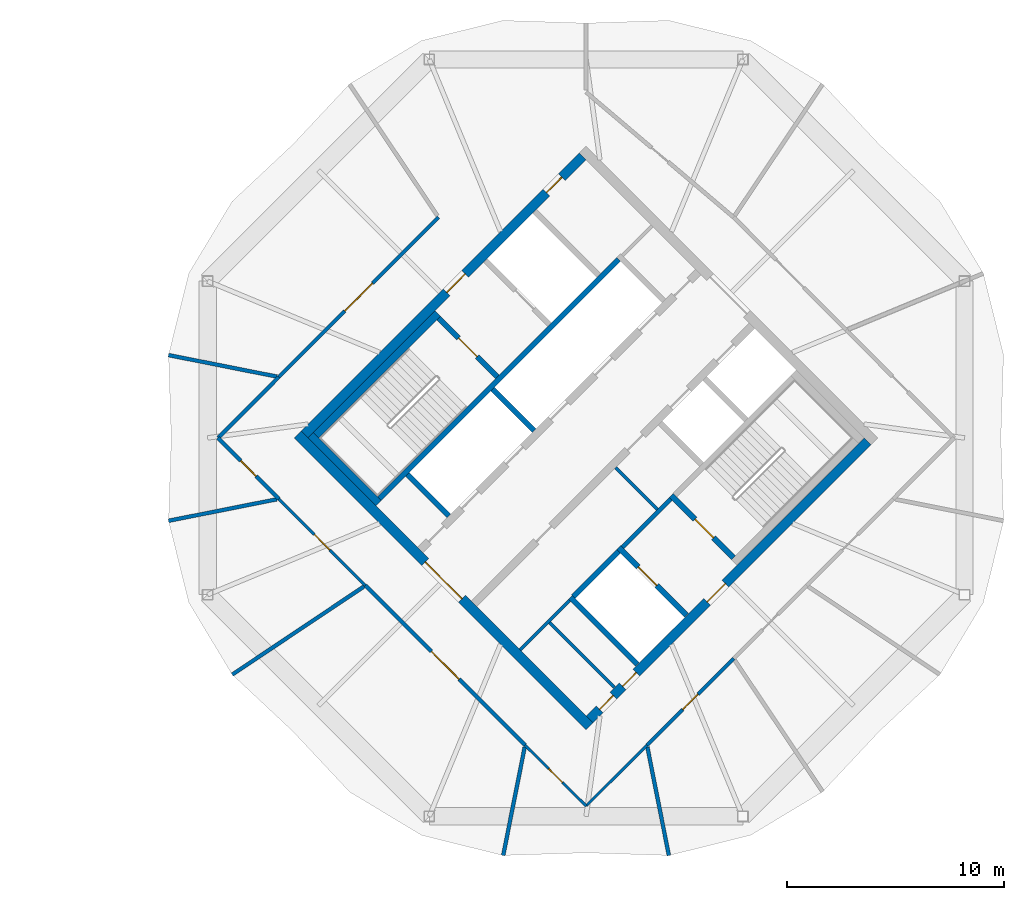
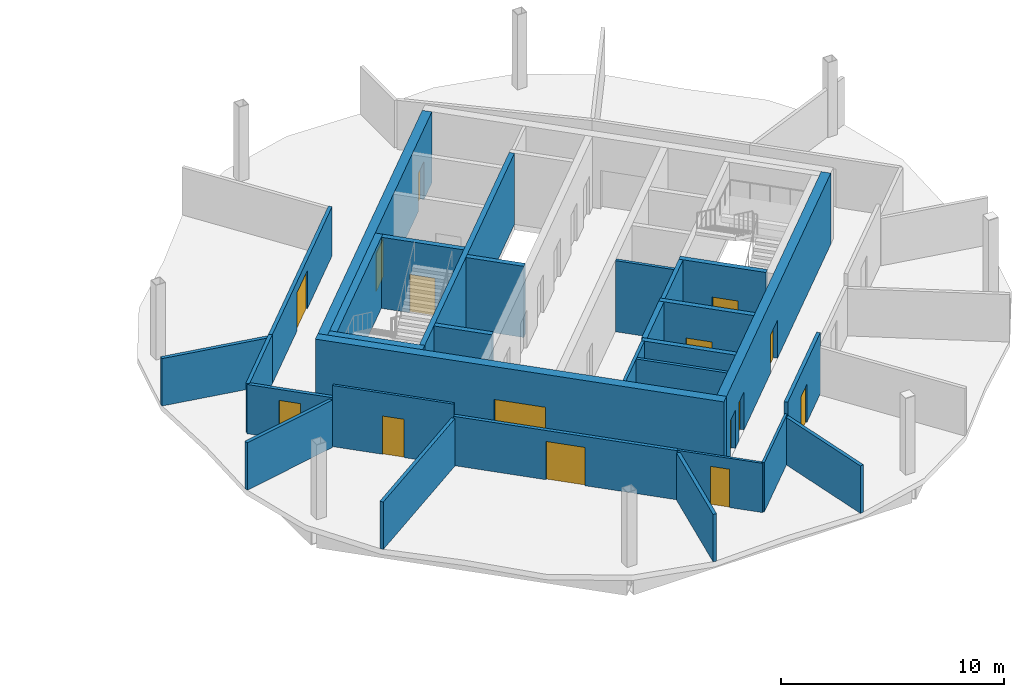
# One storey, part 7 of 10: 30 walls, 15 doors, 15 openings.
"""IFC4 building model written with IfcOpenShell, lengths in metres."""

from ifc_helpers import new_model, si_unit, direction, frame, frame_2d, origin, place, context, subcontext, project, spatial, rectangle, extrude, material, layer, layer_set, type_object, element, fill, save


model = new_model("IFC4")

# Units and contexts
model_context = context("Model", 3, precision=1e-05, world=origin(), true_north=direction((0.0, 1.0)))
body_context = subcontext(model_context, "Body", "Model", "MODEL_VIEW")
ifc_project = project(units=[si_unit("LENGTHUNIT", "METRE"), si_unit("AREAUNIT", "SQUARE_METRE"), si_unit("VOLUMEUNIT", "CUBIC_METRE"), si_unit("PLANEANGLEUNIT", "RADIAN"), si_unit("MASSUNIT", "GRAM", prefix="KILO")], contexts=[model_context])

# Site, building, storey
site_placement = place(None, origin())
site = spatial("IfcSite", under=ifc_project, at=site_placement, CompositionType="ELEMENT")
building_placement = place(site_placement, origin())
building = spatial("IfcBuilding", under=site, at=building_placement, Name="Ogive Gate Towers", CompositionType="ELEMENT")
storey_placement = place(building_placement, frame((0.0, 0.0, 264.60009765625)))
storey = spatial("IfcBuildingStorey", under=building, at=storey_placement, Name="L62", CompositionType="ELEMENT", Elevation=264.60009765625)

# Walls
ifc_material_1 = material(Name="Gypsum board acoustic partition")
ifc_layer_1 = layer(ifc_material_1, 0.175048828125)
ifc_layer_set_1 = layer_set([ifc_layer_1], Name="Acoustic partition 175")
wall_type_1 = type_object("IfcWallType", Name="Acoustic partition 175", PredefinedType="PARTITIONING", material=ifc_layer_set_1)
for number, where, z_axis, x_axis, name in (
    (1, (16.775390625, 3.814697265625, 0.0), (0.0, 0.0, 1.0), (0.980874659821, -0.194640442152, 0.0), "Partition T2-L62-005"),
    (2, (16.775390625, -3.814697265625, 0.0), (0.0, 0.0, 1.0), (0.980874659821, 0.194640442152, 0.0), "Partition T2-L62-006"),
):
    element("IfcWall", number, at=place(storey_placement, frame(where, z_axis=z_axis, x_axis=x_axis)), inside=storey, type_object=wall_type_1, Name=name, PredefinedType="PARTITIONING", context=body_context, shape_type="SweptSolid", body=[
        extrude(rectangle(XDim=5.09130859375, YDim=0.175048828125, at=frame_2d((2.545654296875, 0.0))), origin(), (0.0, 0.0, 1.0), 2.599853515625),
    ])
wall_1_placement = place(storey_placement, frame((19.708740234375, -10.896484375, 0.0), z_axis=(0.0, 0.0, 1.0), x_axis=(0.83120450459, 0.55596678997, 0.0)))
element("IfcWall", 3, at=wall_1_placement, inside=storey, type_object=wall_type_1, Name="Partition T2-L62-007", PredefinedType="PARTITIONING", context=body_context, shape_type="SweptSolid", body=[
    extrude(rectangle(XDim=7.291259765625, YDim=0.175048828125, at=frame_2d((3.6455078125, 0.0))), origin(), (0.0, 0.0, 1.0), 2.599853515625),
])
for number, where, z_axis, x_axis, name in (
    (4, (32.185302734375, -19.224609375, 0.0), (0.0, 0.0, 1.0), (0.194640442152, 0.980874659821, 0.0), "Partition T2-L62-008"),
    (5, (39.814697265625, -19.224609375, 0.0), (0.0, 0.0, 1.0), (-0.194640442152, 0.980874659821, 0.0), "Partition T2-L62-009"),
):
    element("IfcWall", number, at=place(storey_placement, frame(where, z_axis=z_axis, x_axis=x_axis)), inside=storey, type_object=wall_type_1, Name=name, PredefinedType="PARTITIONING", context=body_context, shape_type="SweptSolid", body=[
        extrude(rectangle(XDim=5.09130859375, YDim=0.175048828125, at=frame_2d((2.545654296875, 0.0))), origin(), (0.0, 0.0, 1.0), 2.599853515625),
    ])

# Wall, opening, door
wall_2_placement = place(storey_placement, frame((29.205810546875, 10.157958984375, 0.0), z_axis=(0.0, 0.0, 1.0), x_axis=(-0.707071553548, -0.70714200707, 0.0)))
wall_2 = element("IfcWall", 6, at=wall_2_placement, inside=storey, type_object=wall_type_1, Name="Partition T2-L62-019", PredefinedType="PARTITIONING", context=body_context, shape_type="SweptSolid", body=[
    extrude(rectangle(XDim=10.395751953125, YDim=0.175048828125, at=frame_2d((5.19775390625, 0.0))), origin(), (0.0, 0.0, 1.0), 2.699951171875),
])
opening_1_placement = place(wall_2_placement, frame((4.298095703125, 0.0, 0.0)))
opening_1 = element("IfcOpeningElement", 7, at=opening_1_placement, cuts=wall_2, Name="Opening T2-L62-D06", PredefinedType="OPENING", context=body_context, shape_type="SweptSolid", body=[
    extrude(rectangle(XDim=1.800048828125, YDim=2.10009765625, at=frame_2d((0.89990234375, 1.050048828125))), frame((0.0, 0.09765625, 0.0), z_axis=(0.0, -1.0, 0.0), x_axis=(1.0, 0.0, 0.0)), (0.0, 0.0, 1.0), 0.195068359375),
])
ifc_material_2 = material(Name="Timber door", Category="wood")
door_type_1 = type_object("IfcDoorType", Name="Door pair 1800", OperationType="NOTDEFINED", PredefinedType="DOOR", material=ifc_material_2)
door_1_placement = place(opening_1_placement, origin())
door_1 = element("IfcDoor", 8, at=door_1_placement, inside=storey, type_object=door_type_1, Name="Door T2-L62-D06", OperationType="DOUBLE_DOOR_DOUBLE_SWING", OverallHeight=2.10009765625, OverallWidth=1.800048828125, PredefinedType="DOOR", context=body_context, shape_type="SweptSolid", body=[
    extrude(rectangle(XDim=1.800048828125, YDim=2.10009765625, at=frame_2d((0.89990234375, 1.050048828125))), frame((0.0, 0.02490234375, 0.0), z_axis=(0.0, -1.0, 0.0), x_axis=(1.0, 0.0, 0.0)), (0.0, 0.0, 1.0), 0.050048828125),
])
fill(opening_1, door_1)

wall_3_placement = place(storey_placement, frame((19.0576171875, 0.0, 0.0), z_axis=(0.0, 0.0, 1.0), x_axis=(0.705966114567, -0.708245610705, 0.0)))
wall_3 = element("IfcWall", 9, at=wall_3_placement, inside=storey, type_object=wall_type_1, Name="Partition T2-L62-020", PredefinedType="PARTITIONING", context=body_context, shape_type="SweptSolid", body=[
    extrude(rectangle(XDim=3.962890625, YDim=0.175048828125, at=frame_2d((1.9814453125, 0.0))), origin(), (0.0, 0.0, 1.0), 2.699951171875),
])
opening_2_placement = place(wall_3_placement, frame((1.48095703125, 0.0, 0.0)))
opening_2 = element("IfcOpeningElement", 10, at=opening_2_placement, cuts=wall_3, Name="Opening T2-L62-D07", PredefinedType="OPENING", context=body_context, shape_type="SweptSolid", body=[
    extrude(rectangle(XDim=1.0, YDim=2.10009765625, at=frame_2d((0.5, 1.050048828125))), frame((0.0, 0.09765625, 0.0), z_axis=(0.0, -1.0, 0.0), x_axis=(1.0, 0.0, 0.0)), (0.0, 0.0, 1.0), 0.195068359375),
])
door_type_2 = type_object("IfcDoorType", Name="Door 1000", OperationType="NOTDEFINED", PredefinedType="DOOR", material=ifc_material_2)
door_2_placement = place(opening_2_placement, origin())
door_2 = element("IfcDoor", 11, at=door_2_placement, inside=storey, type_object=door_type_2, Name="Door T2-L62-D07", OperationType="SINGLE_SWING_RIGHT", OverallHeight=2.10009765625, OverallWidth=1.0, PredefinedType="DOOR", context=body_context, shape_type="SweptSolid", body=[
    extrude(rectangle(XDim=1.0, YDim=2.10009765625, at=frame_2d((0.5, 1.050048828125))), frame((0.0, 0.02490234375, 0.0), z_axis=(0.0, -1.0, 0.0), x_axis=(1.0, 0.0, 0.0)), (0.0, 0.0, 1.0), 0.050048828125),
])
fill(opening_2, door_2)

# Wall
wall_4_placement = place(storey_placement, frame((21.855224609375, 2.806640625, 0.0), z_axis=(0.0, 0.0, 1.0), x_axis=(-0.705966114567, -0.708245610705, 0.0)))
element("IfcWall", 12, at=wall_4_placement, inside=storey, type_object=wall_type_1, Name="Partition T2-L62-021", PredefinedType="PARTITIONING", context=body_context, shape_type="SweptSolid", body=[
    extrude(rectangle(XDim=3.962890625, YDim=0.175048828125, at=frame_2d((1.9814453125, 0.0))), origin(), (0.0, 0.0, 1.0), 2.699951171875),
])

# Wall, opening, door
wall_5_placement = place(storey_placement, frame((25.842041015625, -6.794189453125, 0.0), z_axis=(0.0, 0.0, 1.0), x_axis=(0.70714200707, -0.707071553548, 0.0)))
wall_5 = element("IfcWall", 13, at=wall_5_placement, inside=storey, type_object=wall_type_1, Name="Partition T2-L62-023", PredefinedType="PARTITIONING", context=body_context, shape_type="SweptSolid", body=[
    extrude(rectangle(XDim=10.395751953125, YDim=0.175048828125, at=frame_2d((5.19775390625, 0.0))), origin(), (0.0, 0.0, 1.0), 2.699951171875),
])
opening_3_placement = place(wall_5_placement, frame((4.298095703125, 0.0, 0.0)))
opening_3 = element("IfcOpeningElement", 14, at=opening_3_placement, cuts=wall_5, Name="Opening T2-L62-D09", PredefinedType="OPENING", context=body_context, shape_type="SweptSolid", body=[
    extrude(rectangle(XDim=1.800048828125, YDim=2.10009765625, at=frame_2d((0.89990234375, 1.050048828125))), frame((0.0, 0.09765625, 0.0), z_axis=(0.0, -1.0, 0.0), x_axis=(1.0, 0.0, 0.0)), (0.0, 0.0, 1.0), 0.195068359375),
])
door_3_placement = place(opening_3_placement, origin())
door_3 = element("IfcDoor", 15, at=door_3_placement, inside=storey, type_object=door_type_1, Name="Door T2-L62-D09", OperationType="DOUBLE_DOOR_DOUBLE_SWING", OverallHeight=2.10009765625, OverallWidth=1.800048828125, PredefinedType="DOOR", context=body_context, shape_type="SweptSolid", body=[
    extrude(rectangle(XDim=1.800048828125, YDim=2.10009765625, at=frame_2d((0.89990234375, 1.050048828125))), frame((0.0, 0.02490234375, 0.0), z_axis=(0.0, -1.0, 0.0), x_axis=(1.0, 0.0, 0.0)), (0.0, 0.0, 1.0), 0.050048828125),
])
fill(opening_3, door_3)

wall_6_placement = place(storey_placement, frame((38.806640625, -14.144775390625, 0.0), z_axis=(0.0, 0.0, 1.0), x_axis=(0.707171723871, 0.707041832537, 0.0)))
wall_6 = element("IfcWall", 16, at=wall_6_placement, inside=storey, type_object=wall_type_1, Name="Partition T2-L62-026", PredefinedType="PARTITIONING", context=body_context, shape_type="SweptSolid", body=[
    extrude(rectangle(XDim=5.638671875, YDim=0.175048828125, at=frame_2d((2.8193359375, 0.0))), origin(), (0.0, 0.0, 1.0), 3.349853515625),
])
opening_4_placement = place(wall_6_placement, frame((2.319091796875, 0.0, 0.0)))
opening_4 = element("IfcOpeningElement", 17, at=opening_4_placement, cuts=wall_6, Name="Opening T2-L62-D11", PredefinedType="OPENING", context=body_context, shape_type="SweptSolid", body=[
    extrude(rectangle(XDim=1.0, YDim=2.10009765625, at=frame_2d((0.5, 1.050048828125))), frame((0.0, 0.09765625, 0.0), z_axis=(0.0, -1.0, 0.0), x_axis=(1.0, 0.0, 0.0)), (0.0, 0.0, 1.0), 0.195068359375),
])
door_4_placement = place(opening_4_placement, origin())
door_4 = element("IfcDoor", 18, at=door_4_placement, inside=storey, type_object=door_type_2, Name="Door T2-L62-D11", OperationType="SINGLE_SWING_RIGHT", OverallHeight=2.10009765625, OverallWidth=1.0, PredefinedType="DOOR", context=body_context, shape_type="SweptSolid", body=[
    extrude(rectangle(XDim=1.0, YDim=2.10009765625, at=frame_2d((0.5, 1.050048828125))), frame((0.0, 0.02490234375, 0.0), z_axis=(0.0, -1.0, 0.0), x_axis=(1.0, 0.0, 0.0)), (0.0, 0.0, 1.0), 0.050048828125),
])
fill(opening_4, door_4)

# Wall
ifc_material_3 = material(Name="Masonry blockwork", Category="masonry")
ifc_layer_2 = layer(ifc_material_3, 0.199951171875)
ifc_layer_set_2 = layer_set([ifc_layer_2], Name="Blockwork wall 200 mm")
wall_type_2 = type_object("IfcWallType", Name="Blockwork wall 200 mm", PredefinedType="PARTITIONING", material=ifc_layer_set_2)
wall_7_placement = place(storey_placement, frame((37.679443359375, -5.0380859375, 0.0), z_axis=(0.0, 0.0, 1.0), x_axis=(0.707106781187, 0.707106781187, 0.0)))
element("IfcWall", 19, at=wall_7_placement, inside=storey, type_object=wall_type_2, Name="T2 L62 Blockwork wall 200 mm", PredefinedType="PARTITIONING", context=body_context, shape_type="SweptSolid", body=[
    extrude(rectangle(XDim=3.14990234375, YDim=0.199951171875, at=frame_2d((1.574951171875, 0.0))), origin(), (0.0, 0.0, 1.0), 3.89990234375),
])

# Wall, openings, doors
ifc_material_4 = material(Name="Concrete C60/75", Category="concrete")
ifc_layer_3 = layer(ifc_material_4, 0.449951171875)
ifc_layer_set_3 = layer_set([ifc_layer_3], Name="Core wall 450 mm")
wall_type_3 = type_object("IfcWallType", Name="Core wall 450 mm", PredefinedType="SHEAR", material=ifc_layer_set_3)
wall_8_placement = place(storey_placement, frame((36.1591796875, -12.957763671875, 0.0), z_axis=(0.0, 0.0, 1.0), x_axis=(0.707106781187, 0.707106781187, 0.0)))
wall_8 = element("IfcWall", 20, at=wall_8_placement, inside=storey, type_object=wall_type_3, Name="T2 L62 Core wall 450 mm", PredefinedType="SHEAR", context=body_context, shape_type="SweptSolid", body=[
    extrude(rectangle(XDim=18.099853515625, YDim=0.449951171875, at=frame_2d((9.0498046875, 0.0))), origin(), (0.0, 0.0, 1.0), 3.89990234375),
])
opening_5_placement = place(wall_8_placement, frame((7.64990234375, 0.0, 0.0)))
opening_5 = element("IfcOpeningElement", 21, at=opening_5_placement, cuts=wall_8, Name="Opening KD-T2-L62-19", PredefinedType="OPENING", context=body_context, shape_type="SweptSolid", body=[
    extrude(rectangle(XDim=1.199951171875, YDim=2.10009765625, at=frame_2d((0.60009765625, 1.050048828125))), frame((0.0, 0.23486328125, 0.0), z_axis=(0.0, -1.0, 0.0), x_axis=(1.0, 0.0, 0.0)), (0.0, 0.0, 1.0), 0.469970703125),
])
opening_6_placement = place(wall_8_placement, frame((0.64990234375, 0.0, 0.0)))
opening_6 = element("IfcOpeningElement", 22, at=opening_6_placement, cuts=wall_8, Name="Opening KD-T2-L62-21", PredefinedType="OPENING", context=body_context, shape_type="SweptSolid", body=[
    extrude(rectangle(XDim=0.89990234375, YDim=2.10009765625, at=frame_2d((0.449951171875, 1.050048828125))), frame((0.0, 0.23486328125, 0.0), z_axis=(0.0, -1.0, 0.0), x_axis=(1.0, 0.0, 0.0)), (0.0, 0.0, 1.0), 0.469970703125),
])
opening_7_placement = place(wall_8_placement, frame((2.14990234375, 0.0, 0.0)))
opening_7 = element("IfcOpeningElement", 23, at=opening_7_placement, cuts=wall_8, Name="Opening KD-T2-L62-22", PredefinedType="OPENING", context=body_context, shape_type="SweptSolid", body=[
    extrude(rectangle(XDim=0.89990234375, YDim=2.10009765625, at=frame_2d((0.449951171875, 1.050048828125))), frame((0.0, 0.23486328125, 0.0), z_axis=(0.0, -1.0, 0.0), x_axis=(1.0, 0.0, 0.0)), (0.0, 0.0, 1.0), 0.469970703125),
])
door_type_3 = type_object("IfcDoorType", Name="Core WC door 900 x 2100", OperationType="NOTDEFINED", PredefinedType="DOOR", material=ifc_material_2)
door_5_placement = place(opening_6_placement, origin())
door_5 = element("IfcDoor", 24, at=door_5_placement, inside=storey, type_object=door_type_3, Name="T2 L62 Core door", OperationType="SINGLE_SWING_RIGHT", OverallHeight=2.10009765625, OverallWidth=0.89990234375, PredefinedType="DOOR", context=body_context, shape_type="SweptSolid", body=[
    extrude(rectangle(XDim=0.89990234375, YDim=2.10009765625, at=frame_2d((0.449951171875, 1.050048828125))), frame((0.0, 0.02490234375, 0.0), z_axis=(0.0, -1.0, 0.0), x_axis=(1.0, 0.0, 0.0)), (0.0, 0.0, 1.0), 0.050048828125),
])
fill(opening_6, door_5)
door_6_placement = place(opening_7_placement, origin())
door_6 = element("IfcDoor", 25, at=door_6_placement, inside=storey, type_object=door_type_3, Name="T2 L62 Core door", OperationType="SINGLE_SWING_LEFT", OverallHeight=2.10009765625, OverallWidth=0.89990234375, PredefinedType="DOOR", context=body_context, shape_type="SweptSolid", body=[
    extrude(rectangle(XDim=0.89990234375, YDim=2.10009765625, at=frame_2d((0.449951171875, 1.050048828125))), frame((0.0, 0.02490234375, 0.0), z_axis=(0.0, -1.0, 0.0), x_axis=(1.0, 0.0, 0.0)), (0.0, 0.0, 1.0), 0.050048828125),
])
fill(opening_7, door_6)
ifc_material_5 = material(Name="Steel fire door", Category="steel")
door_type_4 = type_object("IfcDoorType", Name="Core door FD60S 1200 x 2100", OperationType="NOTDEFINED", PredefinedType="DOOR", material=ifc_material_5)
door_7_placement = place(opening_5_placement, origin())
door_7 = element("IfcDoor", 26, at=door_7_placement, inside=storey, type_object=door_type_4, Name="T2 L62 Fire-fighting lobby door", OperationType="SINGLE_SWING_RIGHT", OverallHeight=2.10009765625, OverallWidth=1.199951171875, PredefinedType="DOOR", context=body_context, shape_type="SweptSolid", body=[
    extrude(rectangle(XDim=1.199951171875, YDim=2.10009765625, at=frame_2d((0.60009765625, 1.050048828125))), frame((0.0, 0.02490234375, 0.0), z_axis=(0.0, -1.0, 0.0), x_axis=(1.0, 0.0, 0.0)), (0.0, 0.0, 1.0), 0.050048828125),
])
fill(opening_5, door_7)

wall_9_placement = place(storey_placement, frame((23.042236328125, 0.1591796875, 0.0), z_axis=(0.0, 0.0, 1.0), x_axis=(0.707106781187, 0.707106781187, 0.0)))
wall_9 = element("IfcWall", 27, at=wall_9_placement, inside=storey, type_object=wall_type_3, Name="T2 L62 Core wall 450 mm", PredefinedType="SHEAR", context=body_context, shape_type="SweptSolid", body=[
    extrude(rectangle(XDim=18.099853515625, YDim=0.449951171875, at=frame_2d((9.0498046875, 0.0))), origin(), (0.0, 0.0, 1.0), 3.89990234375),
])
opening_8_placement = place(wall_9_placement, frame((9.25, 0.0, 0.0)))
opening_8 = element("IfcOpeningElement", 28, at=opening_8_placement, cuts=wall_9, Name="Opening KD-T2-L62-18", PredefinedType="OPENING", context=body_context, shape_type="SweptSolid", body=[
    extrude(rectangle(XDim=1.199951171875, YDim=2.10009765625, at=frame_2d((0.60009765625, 1.050048828125))), frame((0.0, 0.23486328125, 0.0), z_axis=(0.0, -1.0, 0.0), x_axis=(1.0, 0.0, 0.0)), (0.0, 0.0, 1.0), 0.469970703125),
])
opening_9_placement = place(wall_9_placement, frame((15.75, 0.0, 0.0)))
opening_9 = element("IfcOpeningElement", 29, at=opening_9_placement, cuts=wall_9, Name="Opening KD-T2-L62-20", PredefinedType="OPENING", context=body_context, shape_type="SweptSolid", body=[
    extrude(rectangle(XDim=1.0, YDim=2.10009765625, at=frame_2d((0.5, 1.050048828125))), frame((0.0, 0.23486328125, 0.0), z_axis=(0.0, -1.0, 0.0), x_axis=(1.0, 0.0, 0.0)), (0.0, 0.0, 1.0), 0.469970703125),
])
door_type_5 = type_object("IfcDoorType", Name="Accessible WC door 1000 x 2100", OperationType="NOTDEFINED", PredefinedType="DOOR", material=ifc_material_2)
door_8_placement = place(opening_9_placement, origin())
door_8 = element("IfcDoor", 30, at=door_8_placement, inside=storey, type_object=door_type_5, Name="T2 L62 Core door", OperationType="SINGLE_SWING_LEFT", OverallHeight=2.10009765625, OverallWidth=1.0, PredefinedType="DOOR", context=body_context, shape_type="SweptSolid", body=[
    extrude(rectangle(XDim=1.0, YDim=2.10009765625, at=frame_2d((0.5, 1.050048828125))), frame((0.0, 0.02490234375, 0.0), z_axis=(0.0, -1.0, 0.0), x_axis=(1.0, 0.0, 0.0)), (0.0, 0.0, 1.0), 0.050048828125),
])
fill(opening_9, door_8)
door_9_placement = place(opening_8_placement, origin())
door_9 = element("IfcDoor", 31, at=door_9_placement, inside=storey, type_object=door_type_4, Name="T2 L62 Fire-fighting lobby door", OperationType="SINGLE_SWING_LEFT", OverallHeight=2.10009765625, OverallWidth=1.199951171875, PredefinedType="DOOR", context=body_context, shape_type="SweptSolid", body=[
    extrude(rectangle(XDim=1.199951171875, YDim=2.10009765625, at=frame_2d((0.60009765625, 1.050048828125))), frame((0.0, 0.02490234375, 0.0), z_axis=(0.0, -1.0, 0.0), x_axis=(1.0, 0.0, 0.0)), (0.0, 0.0, 1.0), 0.050048828125),
])
fill(opening_8, door_9)

# Wall, opening, door
wall_10_placement = place(storey_placement, frame((36.1591796875, -13.27587890625, 0.0), z_axis=(0.0, 0.0, 1.0), x_axis=(-0.707106781187, 0.707106781187, 0.0)))
wall_10 = element("IfcWall", 32, at=wall_10_placement, inside=storey, type_object=wall_type_3, Name="T2 L62 Core wall 450 mm", PredefinedType="SHEAR", context=body_context, shape_type="SweptSolid", body=[
    extrude(rectangle(XDim=19.0, YDim=0.449951171875, at=frame_2d((9.5, 0.0))), origin(), (0.0, 0.0, 1.0), 3.89990234375),
])
opening_10_placement = place(wall_10_placement, frame((8.300048828125, 0.0, 0.0)))
opening_10 = element("IfcOpeningElement", 33, at=opening_10_placement, cuts=wall_10, Name="Opening KD-T2-L62-01", PredefinedType="OPENING", context=body_context, shape_type="SweptSolid", body=[
    extrude(rectangle(XDim=2.39990234375, YDim=2.10009765625, at=frame_2d((1.199951171875, 1.050048828125))), frame((0.0, 0.23486328125, 0.0), z_axis=(0.0, -1.0, 0.0), x_axis=(1.0, 0.0, 0.0)), (0.0, 0.0, 1.0), 0.469970703125),
])
door_type_6 = type_object("IfcDoorType", Name="Core double door FD60S 2400 x 2100", OperationType="DOUBLE_DOOR_SINGLE_SWING", PredefinedType="DOOR", material=ifc_material_5)
door_10_placement = place(opening_10_placement, origin())
door_10 = element("IfcDoor", 34, at=door_10_placement, inside=storey, type_object=door_type_6, Name="T2 L62 Core door double", OperationType="DOUBLE_DOOR_SINGLE_SWING", OverallHeight=2.10009765625, OverallWidth=2.39990234375, PredefinedType="DOOR", context=body_context, shape_type="SweptSolid", body=[
    extrude(rectangle(XDim=2.39990234375, YDim=2.10009765625, at=frame_2d((1.199951171875, 1.050048828125))), frame((0.0, 0.02490234375, 0.0), z_axis=(0.0, -1.0, 0.0), x_axis=(1.0, 0.0, 0.0)), (0.0, 0.0, 1.0), 0.050048828125),
])
fill(opening_10, door_10)

ifc_material_6 = material(Name="Gypsum board partition")
ifc_layer_4 = layer(ifc_material_6, 0.125)
ifc_layer_set_4 = layer_set([ifc_layer_4], Name="Partition 125")
wall_type_4 = type_object("IfcWallType", Name="Partition 125", PredefinedType="PARTITIONING", material=ifc_layer_set_4)
wall_11_placement = place(storey_placement, frame((21.855224609375, -2.806640625, 0.0), z_axis=(0.0, 0.0, 1.0), x_axis=(0.707041832537, -0.707171723871, 0.0)))
wall_11 = element("IfcWall", 35, at=wall_11_placement, inside=storey, type_object=wall_type_4, Name="Partition T2-L62-022", PredefinedType="PARTITIONING", context=body_context, shape_type="SweptSolid", body=[
    extrude(rectangle(XDim=5.638671875, YDim=0.125, at=frame_2d((2.8193359375, 0.0))), origin(), (0.0, 0.0, 1.0), 3.349853515625),
])
opening_11_placement = place(wall_11_placement, frame((2.319091796875, 0.0, 0.0)))
opening_11 = element("IfcOpeningElement", 36, at=opening_11_placement, cuts=wall_11, Name="Opening T2-L62-D08", PredefinedType="OPENING", context=body_context, shape_type="SweptSolid", body=[
    extrude(rectangle(XDim=1.0, YDim=2.10009765625, at=frame_2d((0.5, 1.050048828125))), frame((0.0, 0.072509765625, 0.0), z_axis=(0.0, -1.0, 0.0), x_axis=(1.0, 0.0, 0.0)), (0.0, 0.0, 1.0), 0.14501953125),
])
door_11_placement = place(opening_11_placement, origin())
door_11 = element("IfcDoor", 37, at=door_11_placement, inside=storey, type_object=door_type_2, Name="Door T2-L62-D08", OperationType="SINGLE_SWING_LEFT", OverallHeight=2.10009765625, OverallWidth=1.0, PredefinedType="DOOR", context=body_context, shape_type="SweptSolid", body=[
    extrude(rectangle(XDim=1.0, YDim=2.10009765625, at=frame_2d((0.5, 1.050048828125))), frame((0.0, 0.02490234375, 0.0), z_axis=(0.0, -1.0, 0.0), x_axis=(1.0, 0.0, 0.0)), (0.0, 0.0, 1.0), 0.050048828125),
])
fill(opening_11, door_11)

wall_12_placement = place(storey_placement, frame((33.193359375, -14.144775390625, 0.0), z_axis=(0.0, 0.0, 1.0), x_axis=(0.708245610705, -0.705966114567, 0.0)))
wall_12 = element("IfcWall", 38, at=wall_12_placement, inside=storey, type_object=wall_type_4, Name="Partition T2-L62-024", PredefinedType="PARTITIONING", context=body_context, shape_type="SweptSolid", body=[
    extrude(rectangle(XDim=3.962890625, YDim=0.125, at=frame_2d((1.9814453125, 0.0))), origin(), (0.0, 0.0, 1.0), 2.699951171875),
])
opening_12_placement = place(wall_12_placement, frame((1.531005859375, 0.0, 0.0)))
opening_12 = element("IfcOpeningElement", 39, at=opening_12_placement, cuts=wall_12, Name="Opening T2-L62-D10", PredefinedType="OPENING", context=body_context, shape_type="SweptSolid", body=[
    extrude(rectangle(XDim=0.89990234375, YDim=2.10009765625, at=frame_2d((0.449951171875, 1.050048828125))), frame((0.0, 0.072509765625, 0.0), z_axis=(0.0, -1.0, 0.0), x_axis=(1.0, 0.0, 0.0)), (0.0, 0.0, 1.0), 0.14501953125),
])
door_type_7 = type_object("IfcDoorType", Name="Door 900", OperationType="NOTDEFINED", PredefinedType="DOOR", material=ifc_material_2)
door_12_placement = place(opening_12_placement, origin())
door_12 = element("IfcDoor", 40, at=door_12_placement, inside=storey, type_object=door_type_7, Name="Door T2-L62-D10", OperationType="SINGLE_SWING_LEFT", OverallHeight=2.10009765625, OverallWidth=0.89990234375, PredefinedType="DOOR", context=body_context, shape_type="SweptSolid", body=[
    extrude(rectangle(XDim=0.89990234375, YDim=2.10009765625, at=frame_2d((0.449951171875, 1.050048828125))), frame((0.0, 0.02490234375, 0.0), z_axis=(0.0, -1.0, 0.0), x_axis=(1.0, 0.0, 0.0)), (0.0, 0.0, 1.0), 0.050048828125),
])
fill(opening_12, door_12)

# Walls
wall_13_placement = place(storey_placement, frame((36.0, -16.9423828125, 0.0), z_axis=(0.0, 0.0, 1.0), x_axis=(0.708245610705, 0.705966114567, 0.0)))
element("IfcWall", 41, at=wall_13_placement, inside=storey, type_object=wall_type_4, Name="Partition T2-L62-025", PredefinedType="PARTITIONING", context=body_context, shape_type="SweptSolid", body=[
    extrude(rectangle(XDim=3.962890625, YDim=0.125, at=frame_2d((1.9814453125, 0.0))), origin(), (0.0, 0.0, 1.0), 2.699951171875),
])
ifc_layer_5 = layer(ifc_material_6, 0.14990234375)
ifc_layer_set_5 = layer_set([ifc_layer_5], Name="Room partition 150 mm")
wall_type_5 = type_object("IfcWallType", Name="Room partition 150 mm", PredefinedType="PARTITIONING", material=ifc_layer_set_5)
wall_14_placement = place(storey_placement, frame((32.95947265625, -9.758056640625, 0.0), z_axis=(0.0, 0.0, 1.0), x_axis=(0.707144631829, 0.707068928518, 0.0)))
element("IfcWall", 42, at=wall_14_placement, inside=storey, type_object=wall_type_5, Name="T2 L62 Room partition 150 mm", PredefinedType="PARTITIONING", context=body_context, shape_type="SweptSolid", body=[
    extrude(rectangle(XDim=3.224853515625, YDim=0.14990234375, at=frame_2d((1.6123046875, 0.0))), origin(), (0.0, 0.0, 1.0), 3.89990234375),
])
wall_15_placement = place(storey_placement, frame((37.30810546875, -11.490478515625, 0.0), z_axis=(0.0, 0.0, 1.0), x_axis=(-0.707106781187, 0.707106781187, 0.0)))
element("IfcWall", 43, at=wall_15_placement, inside=storey, type_object=wall_type_5, Name="T2 L62 Room partition 150 mm", PredefinedType="PARTITIONING", context=body_context, shape_type="SweptSolid", body=[
    extrude(rectangle(XDim=4.22509765625, YDim=0.14990234375, at=frame_2d((2.112548828125, 0.0))), origin(), (0.0, 0.0, 1.0), 3.89990234375),
])
wall_16_placement = place(storey_placement, frame((39.2880859375, -3.2880859375, 0.0), z_axis=(0.0, 0.0, 1.0), x_axis=(-0.707106781187, 0.707106781187, 0.0)))
element("IfcWall", 44, at=wall_16_placement, inside=storey, type_object=wall_type_5, Name="T2 L62 Room partition 150 mm", PredefinedType="PARTITIONING", context=body_context, shape_type="SweptSolid", body=[
    extrude(rectangle(XDim=2.72509765625, YDim=0.14990234375, at=frame_2d((1.362548828125, 0.0))), origin(), (0.0, 0.0, 1.0), 3.89990234375),
])
ifc_layer_6 = layer(ifc_material_4, 0.25)
ifc_layer_set_6 = layer_set([ifc_layer_6], Name="Shaft wall 250 mm")
wall_type_6 = type_object("IfcWallType", Name="Shaft wall 250 mm", PredefinedType="SHEAR", material=ifc_layer_set_6)
wall_17_placement = place(storey_placement, frame((35.41650390625, -7.30078125, 0.0), z_axis=(0.0, 0.0, 1.0), x_axis=(0.707148157867, 0.707065402085, 0.0)))
element("IfcWall", 45, at=wall_17_placement, inside=storey, type_object=wall_type_6, Name="T2 L62 Shaft wall 250 mm", PredefinedType="SHEAR", context=body_context, shape_type="SweptSolid", body=[
    extrude(rectangle(XDim=2.9501953125, YDim=0.25, at=frame_2d((1.47509765625, 0.0))), origin(), (0.0, 0.0, 1.0), 3.89990234375),
])
wall_18_placement = place(storey_placement, frame((26.489501953125, -2.793212890625, 0.0), z_axis=(0.0, 0.0, 1.0), x_axis=(0.707098943647, 0.70711461864, 0.0)))
element("IfcWall", 46, at=wall_18_placement, inside=storey, type_object=wall_type_6, Name="T2 L62 Shaft wall 250 mm", PredefinedType="SHEAR", context=body_context, shape_type="SweptSolid", body=[
    extrude(rectangle(XDim=15.5751953125, YDim=0.25, at=frame_2d((7.78759765625, 0.0))), origin(), (0.0, 0.0, 1.0), 3.89990234375),
])
wall_19_placement = place(storey_placement, frame((29.689208984375, -3.588623046875, 0.0), z_axis=(0.0, 0.0, 1.0), x_axis=(-0.707151988282, 0.707061571201, 0.0)))
element("IfcWall", 47, at=wall_19_placement, inside=storey, type_object=wall_type_6, Name="T2 L62 Shaft wall 250 mm", PredefinedType="SHEAR", context=body_context, shape_type="SweptSolid", body=[
    extrude(rectangle(XDim=2.7001953125, YDim=0.25, at=frame_2d((1.35009765625, 0.0))), origin(), (0.0, 0.0, 1.0), 3.89990234375),
])
wall_20_placement = place(storey_placement, frame((38.368896484375, -10.4296875, 0.0), z_axis=(0.0, 0.0, 1.0), x_axis=(-0.707134682099, 0.707078879173, 0.0)))
element("IfcWall", 48, at=wall_20_placement, inside=storey, type_object=wall_type_6, Name="T2 L62 Shaft wall 250 mm", PredefinedType="SHEAR", context=body_context, shape_type="SweptSolid", body=[
    extrude(rectangle(XDim=4.375, YDim=0.25, at=frame_2d((2.1875, 0.0))), origin(), (0.0, 0.0, 1.0), 3.89990234375),
])

# Wall, opening, door
wall_21_placement = place(storey_placement, frame((40.631591796875, -8.1669921875, 0.0), z_axis=(0.0, 0.0, 1.0), x_axis=(-0.707106781187, 0.707106781187, 0.0)))
wall_21 = element("IfcWall", 49, at=wall_21_placement, inside=storey, type_object=wall_type_6, Name="T2 L62 Shaft wall 250 mm", PredefinedType="SHEAR", context=body_context, shape_type="SweptSolid", body=[
    extrude(rectangle(XDim=4.425048828125, YDim=0.25, at=frame_2d((2.21240234375, 0.0))), origin(), (0.0, 0.0, 1.0), 3.89990234375),
])
opening_13_placement = place(wall_21_placement, frame((1.949951171875, 0.0, 0.0)))
opening_13 = element("IfcOpeningElement", 50, at=opening_13_placement, cuts=wall_21, Name="Opening LD-T2-L62-13", PredefinedType="OPENING", context=body_context, shape_type="SweptSolid", body=[
    extrude(rectangle(XDim=1.199951171875, YDim=2.10009765625, at=frame_2d((0.60009765625, 1.050048828125))), frame((0.0, 0.135009765625, 0.0), z_axis=(0.0, -1.0, 0.0), x_axis=(1.0, 0.0, 0.0)), (0.0, 0.0, 1.0), 0.27001953125),
])
ifc_material_7 = material(Name="Stainless steel landing door", Category="steel")
door_type_8 = type_object("IfcDoorType", Name="Landing door 1200 x 2100", OperationType="SLIDING_TO_LEFT", PredefinedType="DOOR", material=ifc_material_7)
door_13_placement = place(opening_13_placement, origin())
door_13 = element("IfcDoor", 51, at=door_13_placement, inside=storey, type_object=door_type_8, Name="T2 L62 Lift landing door FF2", OperationType="SLIDING_TO_LEFT", OverallHeight=2.10009765625, OverallWidth=1.199951171875, PredefinedType="DOOR", context=body_context, shape_type="SweptSolid", body=[
    extrude(rectangle(XDim=1.199951171875, YDim=2.10009765625, at=frame_2d((0.60009765625, 1.050048828125))), frame((0.0, 0.02490234375, 0.0), z_axis=(0.0, -1.0, 0.0), x_axis=(1.0, 0.0, 0.0)), (0.0, 0.0, 1.0), 0.050048828125),
])
fill(opening_13, door_13)

# Wall
wall_22_placement = place(storey_placement, frame((33.613525390625, 0.3359375, 0.0), z_axis=(0.0, 0.0, 1.0), x_axis=(-0.707106781187, 0.707106781187, 0.0)))
element("IfcWall", 52, at=wall_22_placement, inside=storey, type_object=wall_type_6, Name="T2 L62 Shaft wall 250 mm", PredefinedType="SHEAR", context=body_context, shape_type="SweptSolid", body=[
    extrude(rectangle(XDim=2.699951171875, YDim=0.25, at=frame_2d((1.35009765625, 0.0))), origin(), (0.0, 0.0, 1.0), 3.89990234375),
])

# Wall, opening, door
wall_23_placement = place(storey_placement, frame((31.91650390625, 2.810791015625, 0.0), z_axis=(0.0, 0.0, 1.0), x_axis=(-0.707106781187, 0.707106781187, 0.0)))
wall_23 = element("IfcWall", 53, at=wall_23_placement, inside=storey, type_object=wall_type_6, Name="T2 L62 Shaft wall 250 mm", PredefinedType="SHEAR", context=body_context, shape_type="SweptSolid", body=[
    extrude(rectangle(XDim=3.824951171875, YDim=0.25, at=frame_2d((1.91259765625, 0.0))), origin(), (0.0, 0.0, 1.0), 3.89990234375),
])
opening_14_placement = place(wall_23_placement, frame((1.324951171875, 0.0, 0.0)))
opening_14 = element("IfcOpeningElement", 54, at=opening_14_placement, cuts=wall_23, Name="Opening KD-T2-L62-16", PredefinedType="OPENING", context=body_context, shape_type="SweptSolid", body=[
    extrude(rectangle(XDim=1.199951171875, YDim=2.10009765625, at=frame_2d((0.60009765625, 1.050048828125))), frame((0.0, 0.135009765625, 0.0), z_axis=(0.0, -1.0, 0.0), x_axis=(1.0, 0.0, 0.0)), (0.0, 0.0, 1.0), 0.27001953125),
])
door_14_placement = place(opening_14_placement, origin())
door_14 = element("IfcDoor", 55, at=door_14_placement, inside=storey, type_object=door_type_4, Name="T2 L62 Stair door", OperationType="SINGLE_SWING_LEFT", OverallHeight=2.10009765625, OverallWidth=1.199951171875, PredefinedType="DOOR", context=body_context, shape_type="SweptSolid", body=[
    extrude(rectangle(XDim=1.199951171875, YDim=2.10009765625, at=frame_2d((0.60009765625, 1.050048828125))), frame((0.0, 0.02490234375, 0.0), z_axis=(0.0, -1.0, 0.0), x_axis=(1.0, 0.0, 0.0)), (0.0, 0.0, 1.0), 0.050048828125),
])
fill(opening_14, door_14)

wall_24_placement = place(storey_placement, frame((42.7880859375, -5.515380859375, 0.0), z_axis=(0.0, 0.0, 1.0), x_axis=(-0.707106781187, 0.707106781187, 0.0)))
wall_24 = element("IfcWall", 56, at=wall_24_placement, inside=storey, type_object=wall_type_6, Name="T2 L62 Shaft wall 250 mm", PredefinedType="SHEAR", context=body_context, shape_type="SweptSolid", body=[
    extrude(rectangle(XDim=4.050048828125, YDim=0.25, at=frame_2d((2.02490234375, 0.0))), origin(), (0.0, 0.0, 1.0), 3.89990234375),
])
opening_15_placement = place(wall_24_placement, frame((1.300048828125, 0.0, 0.0)))
opening_15 = element("IfcOpeningElement", 57, at=opening_15_placement, cuts=wall_24, Name="Opening KD-T2-L62-17", PredefinedType="OPENING", context=body_context, shape_type="SweptSolid", body=[
    extrude(rectangle(XDim=1.199951171875, YDim=2.10009765625, at=frame_2d((0.60009765625, 1.050048828125))), frame((0.0, 0.135009765625, 0.0), z_axis=(0.0, -1.0, 0.0), x_axis=(1.0, 0.0, 0.0)), (0.0, 0.0, 1.0), 0.27001953125),
])
door_15_placement = place(opening_15_placement, origin())
door_15 = element("IfcDoor", 58, at=door_15_placement, inside=storey, type_object=door_type_4, Name="T2 L62 Stair door", OperationType="SINGLE_SWING_RIGHT", OverallHeight=2.10009765625, OverallWidth=1.199951171875, PredefinedType="DOOR", context=body_context, shape_type="SweptSolid", body=[
    extrude(rectangle(XDim=1.199951171875, YDim=2.10009765625, at=frame_2d((0.60009765625, 1.050048828125))), frame((0.0, 0.02490234375, 0.0), z_axis=(0.0, -1.0, 0.0), x_axis=(1.0, 0.0, 0.0)), (0.0, 0.0, 1.0), 0.050048828125),
])
fill(opening_15, door_15)

# Walls
ifc_layer_7 = layer(ifc_material_4, 0.35009765625)
ifc_layer_set_7 = layer_set([ifc_layer_7], Name="Stair wall 350 mm")
wall_type_7 = type_object("IfcWallType", Name="Stair wall 350 mm", PredefinedType="SHEAR", material=ifc_layer_set_7)
wall_25_placement = place(storey_placement, frame((23.572509765625, 0.123779296875, 0.0), z_axis=(0.0, 0.0, 1.0), x_axis=(0.707122184046, 0.707091377991, 0.0)))
element("IfcWall", 59, at=wall_25_placement, inside=storey, type_object=wall_type_7, Name="T2 L62 Stair wall 350 mm", PredefinedType="SHEAR", context=body_context, shape_type="SweptSolid", body=[
    extrude(rectangle(XDim=7.925048828125, YDim=0.35009765625, at=frame_2d((3.96240234375, 0.0))), origin(), (0.0, 0.0, 1.0), 3.89990234375),
])
wall_26_placement = place(storey_placement, frame((26.4541015625, -3.005126953125, 0.0), z_axis=(0.0, 0.0, 1.0), x_axis=(-0.707106781187, 0.707106781187, 0.0)))
element("IfcWall", 60, at=wall_26_placement, inside=storey, type_object=wall_type_7, Name="T2 L62 Stair wall 350 mm", PredefinedType="SHEAR", context=body_context, shape_type="SweptSolid", body=[
    extrude(rectangle(XDim=4.425048828125, YDim=0.35009765625, at=frame_2d((2.21240234375, 0.0))), origin(), (0.0, 0.0, 1.0), 3.89990234375),
])

save(model, "model.ifc")
